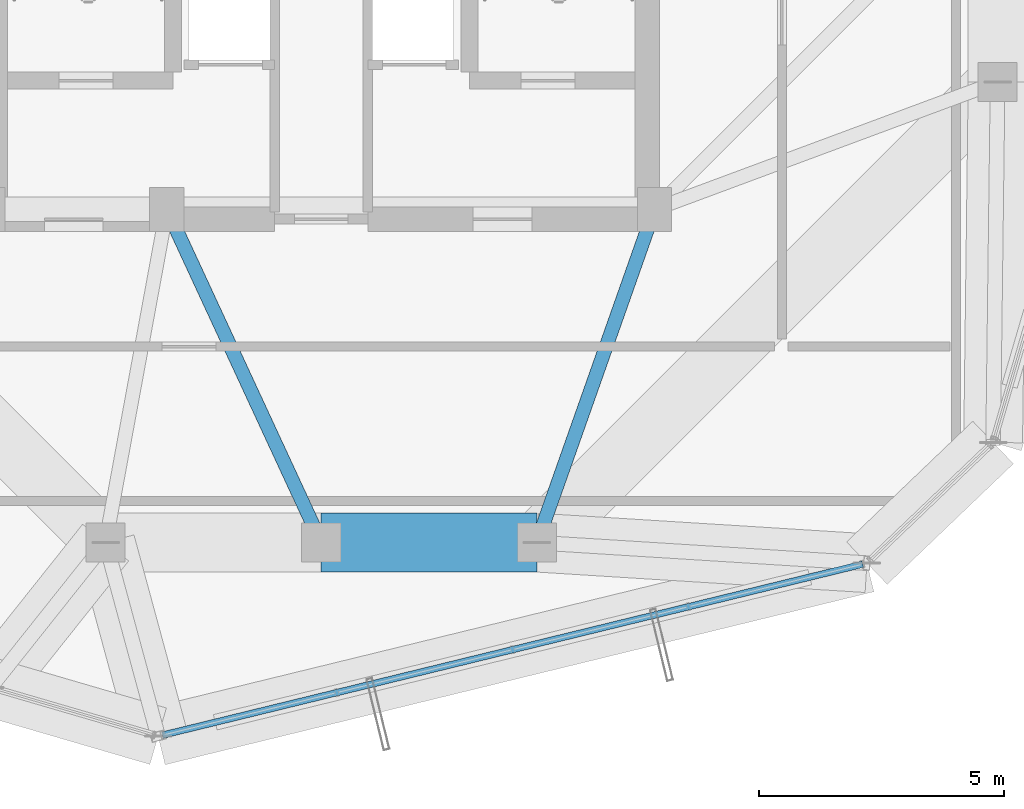
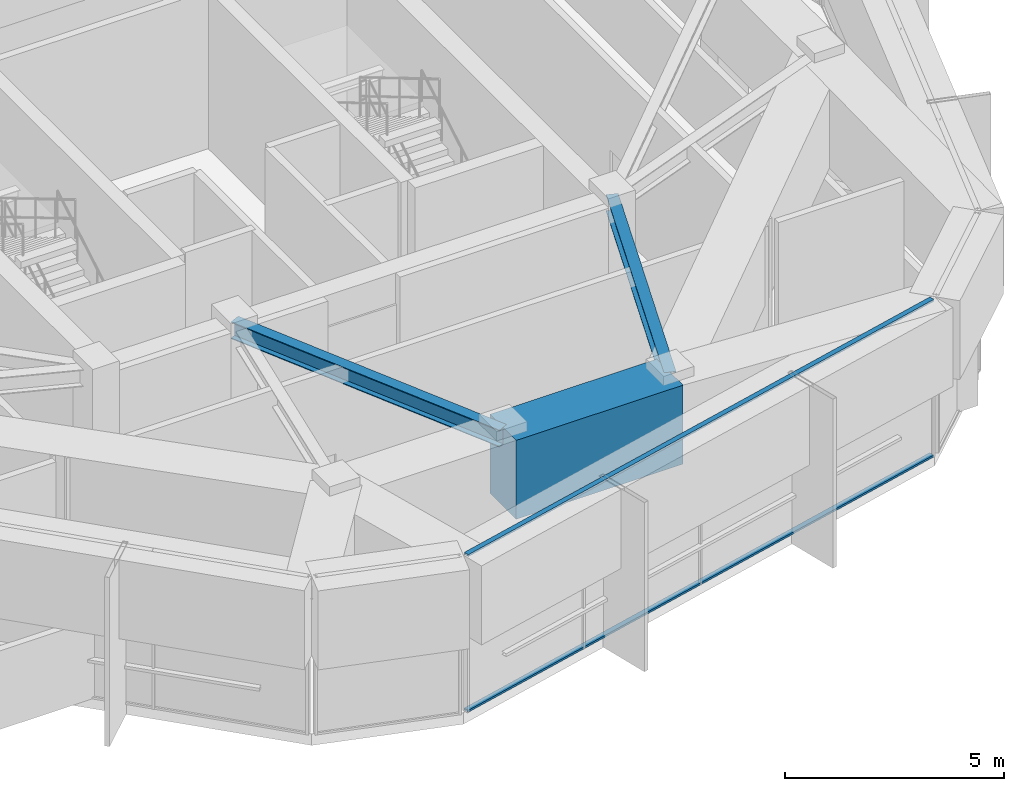
# One storey, part 11 of 39: 3 beams, 2 members, 1 element without a shape of its own.
"""IFC4 building model written with IfcOpenShell, lengths in metres."""

from ifc_helpers import new_model, si_unit, direction, frame, origin, origin_2d, place, context, subcontext, project, spatial, rectangle, hollow_rectangle, i_section, extrude, source, transform, mapped, material, layer, layer_set, material_profile, profile_set, type_object, element, aggregate, save


model = new_model("IFC4")

# Units and contexts
model_context = context("Model", 3, precision=1e-05, world=origin(), true_north=direction((0.0, 1.0)))
body_context = subcontext(model_context, "Body", "Model", "MODEL_VIEW")
ifc_project = project(units=[si_unit("LENGTHUNIT", "METRE"), si_unit("AREAUNIT", "SQUARE_METRE"), si_unit("VOLUMEUNIT", "CUBIC_METRE"), si_unit("PLANEANGLEUNIT", "RADIAN"), si_unit("MASSUNIT", "GRAM", prefix="KILO")], contexts=[model_context])

# Site, building, storey
site_placement = place(None, origin())
site = spatial("IfcSite", under=ifc_project, at=site_placement, CompositionType="ELEMENT")
building_placement = place(site_placement, origin())
building = spatial("IfcBuilding", under=site, at=building_placement, Name="Veraguas Prism Commons", CompositionType="ELEMENT")
storey_placement = place(building_placement, frame((0.0, 0.0, 264.25)))
storey = spatial("IfcBuildingStorey", under=building, at=storey_placement, Name="L75", CompositionType="ELEMENT", Elevation=264.25)

# Beams
ifc_material_1 = material(Name="Concrete C50/60", Category="concrete")
ifc_material_profile_1 = material_profile(ifc_material_1, rectangle(XDim=1.199951171875, YDim=2.199951171875, at=origin_2d()), Name="RC1200X2200")
ifc_profile_set_1 = profile_set([ifc_material_profile_1], Name="Concrete C50/60")
beam_type_1 = type_object("IfcBeamType", Name="Podium Transfer Girder RC 1200x2200", PredefinedType="BEAM", material=ifc_profile_set_1)
beam_1_placement = place(storey_placement, frame((24.0, 10.199951171875, 3.2900390625), z_axis=(1.0, 0.0, 0.0), x_axis=(0.0, 1.0, 0.0)))
element("IfcBeam", 1, at=beam_1_placement, inside=storey, type_object=beam_type_1, Name="Perimeter Spandrel Beam L75-SP11", PredefinedType="BEAM", context=body_context, shape_type="SweptSolid", body=[
    extrude(rectangle(XDim=1.199951171875, YDim=2.199951171875, at=origin_2d()), origin(), (0.0, 0.0, 1.0), 4.39990234375),
])
ifc_material_2 = material(Name="Steel ASTM A992 Grade 50", Category="steel")
ifc_material_profile_2 = material_profile(ifc_material_2, i_section(OverallWidth=0.282958984375, OverallDepth=0.471923828125, WebThickness=0.013671875, FlangeThickness=0.022216796875, at=origin_2d()), Name="W460X144")
ifc_profile_set_2 = profile_set([ifc_material_profile_2], Name="Steel ASTM A992 Grade 50")
beam_type_2 = type_object("IfcBeamType", Name="Zone 4 Radial Girder W460x144", PredefinedType="BEAM", material=ifc_profile_set_2)
beam_2_placement = place(storey_placement, frame((24.0, 10.199951171875, 4.154052734375), z_axis=(-0.420313834543, 0.907378796585, 0.0), x_axis=(-0.907378796585, -0.420313834543, 0.0)))
element("IfcBeam", 2, at=beam_2_placement, inside=storey, type_object=beam_type_2, Name="Crown Base Radial Girder L75-RD11", PredefinedType="BEAM", context=body_context, shape_type="SweptSolid", body=[
    extrude(i_section(OverallWidth=0.282958984375, OverallDepth=0.471923828125, WebThickness=0.013671875, FlangeThickness=0.022216796875, at=origin_2d()), origin(), (0.0, 0.0, 1.0), 7.494140625),
])
beam_3_placement = place(storey_placement, frame((28.39990234375, 10.199951171875, 4.154052734375), z_axis=(0.332836055941, 0.942984708182, 0.0), x_axis=(-0.942984708182, 0.332836055941, 0.0)))
element("IfcBeam", 3, at=beam_3_placement, inside=storey, type_object=beam_type_2, Name="Crown Base Radial Girder L75-RD12", PredefinedType="BEAM", context=body_context, shape_type="SweptSolid", body=[
    extrude(i_section(OverallWidth=0.282958984375, OverallDepth=0.471923828125, WebThickness=0.013671875, FlangeThickness=0.022216796875, at=origin_2d()), origin(), (0.0, 0.0, 1.0), 7.211181640625),
])

# Curtain wall, members
ifc_material_3 = material(Name="Anodised aluminium EN AW-6063 T6", Category="aluminium")
ifc_layer = layer(ifc_material_3, 0.14990234375, Name="Unitised Flush Curtain Wall Zone 4", Category="aluminium")
ifc_layer_set = layer_set([ifc_layer], Name="Anodised aluminium EN AW-6063 T6")
curtain_wall_type = type_object("IfcCurtainWallType", Name="Unitised Flush Curtain Wall Zone 4", PredefinedType="NOTDEFINED", material=ifc_layer_set)
curtain_wall_placement = place(storey_placement, origin())
curtain_wall = element("IfcCurtainWall", 4, at=curtain_wall_placement, inside=storey, type_object=curtain_wall_type, Name="Tower Facade Curtain Wall L75-F5", PredefinedType="NOTDEFINED")
ifc_material_profile_3 = material_profile(ifc_material_3, hollow_rectangle(XDim=0.054931640625, YDim=0.135009765625, WallThickness=0.0029296875, at=origin_2d()), Name="AL55X135X3")
ifc_profile_set_3 = profile_set([ifc_material_profile_3], Name="Anodised aluminium EN AW-6063 T6")
member_type = type_object("IfcMemberType", Name="Curtain Wall Transom Standard AL 55x135x3", PredefinedType="USERDEFINED", material=ifc_profile_set_3)
shared_shape = source(origin(), body_context, "Body", "SweptSolid", [
    extrude(hollow_rectangle(XDim=0.054931640625, YDim=0.135009765625, WallThickness=0.0029296875, at=origin_2d()), origin(), (0.0, 0.0, 1.0), 14.706298828125),
])
member_1_placement = place(storey_placement, frame((20.75927734375, 6.27099609375, 0.027587890625), z_axis=(0.971465597161, 0.237180508333, 0.0), x_axis=(0.0, 0.0, 1.0)))
member_1 = element("IfcMember", 5, at=member_1_placement, type_object=member_type, Name="CW-Z4 Transom 1", ObjectType="TRANSOM", PredefinedType="USERDEFINED", context=body_context, shape_type="MappedRepresentation", body=[
    mapped(shared_shape, transform((0.0, 0.0, 0.0), scale=1.0)),
])
member_2_placement = place(storey_placement, frame((20.75927734375, 6.27099609375, 4.362548828125), z_axis=(0.971465597161, 0.237180508333, 0.0), x_axis=(0.0, 0.0, 1.0)))
member_2 = element("IfcMember", 6, at=member_2_placement, type_object=member_type, Name="CW-Z4 Transom 2", ObjectType="TRANSOM", PredefinedType="USERDEFINED", context=body_context, shape_type="MappedRepresentation", body=[
    mapped(shared_shape, transform((0.0, 0.0, 0.0), scale=1.0)),
])
aggregate(curtain_wall, [member_1, member_2])

save(model, "model.ifc")
